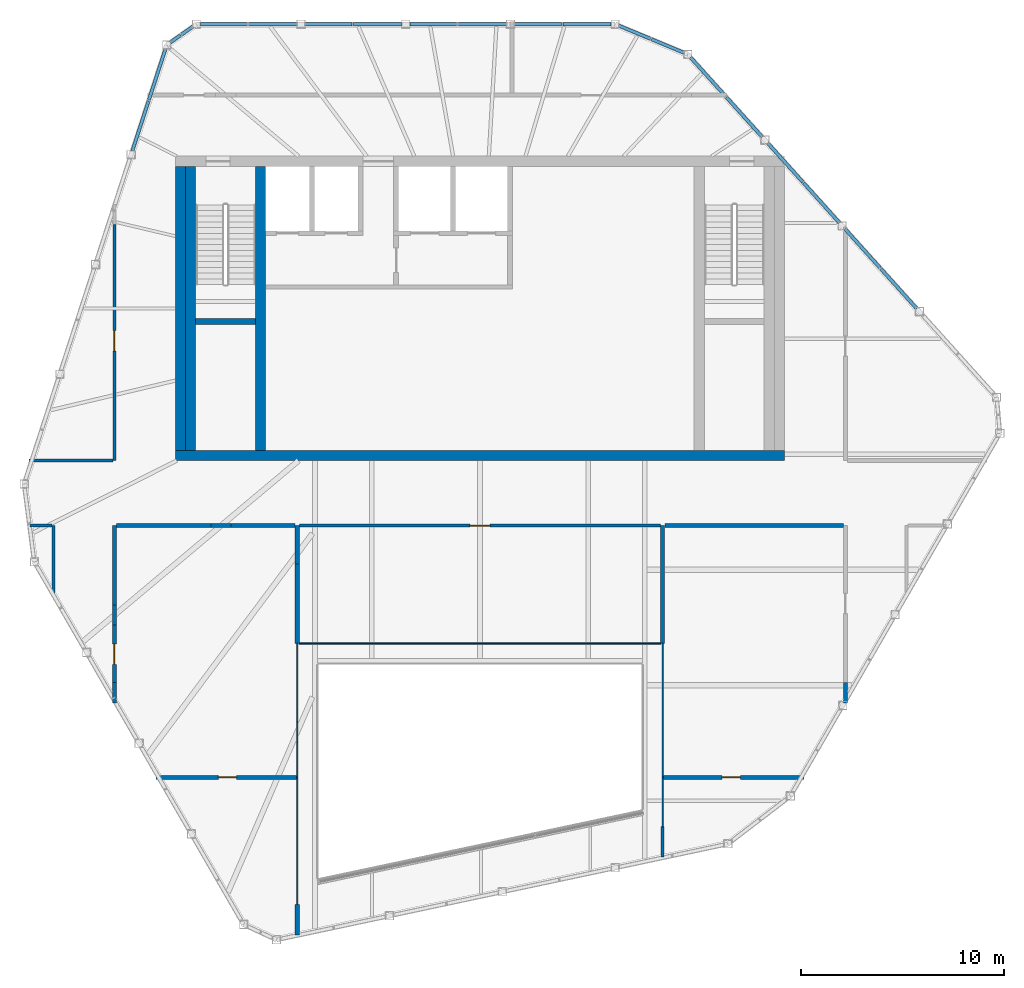
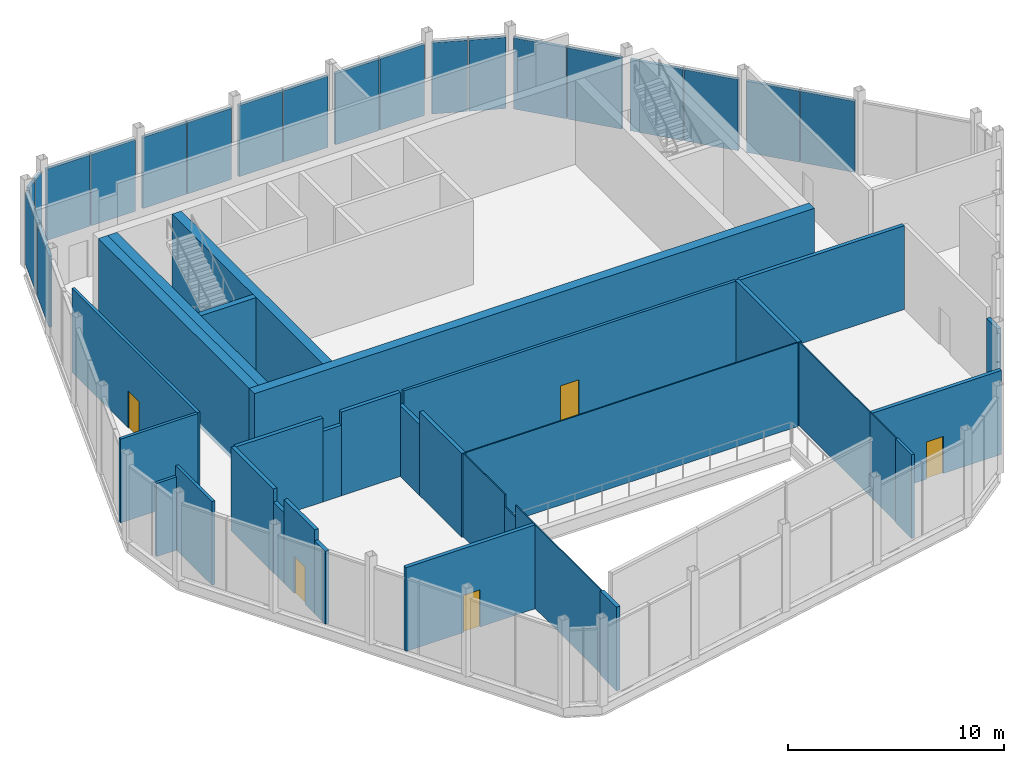
# One storey, part 8 of 12: 33 walls, 20 plates, 5 doors, 5 openings, 5 elements without a shape of their own.
"""IFC4 building model written with IfcOpenShell, lengths in metres."""

import ifcopenshell
import ifcopenshell.guid

model = None  # the IFC model being written
_history = None  # IfcOwnerHistory: only IFC2X3 demands one
_inside = {}  # id of a spatial element -> (the spatial element, [elements in it])
_under = {}  # id of a project, library or spatial element -> (it, [spatial elements below it])
_declared = {}  # id of a project -> (the project, [libraries it declares])
_typed = {}  # id of a type object -> (the type object, [elements of that type])
_made_of = {}  # id of a material, layer set ... -> (it, [elements and type objects made of it])


def new_model(schema):
    """Start an empty IFC model of exactly this schema.

    Asked for "IFC4X3", IfcOpenShell would pick the latest addendum, in which some entities
    have other attributes; the version numbers below select the first issue.
    IFC2X3 requires an IfcOwnerHistory on every rooted entity: one is made here for all.
    """
    global model, _history
    if schema == "IFC4X3":
        model = ifcopenshell.file(schema_version=(4, 3, 0, 0))
    else:
        model = ifcopenshell.file(schema=schema)
    _inside.clear()
    _under.clear()
    _declared.clear()
    _typed.clear()
    _made_of.clear()
    _history = None
    if model.schema == "IFC2X3":
        org = make("IfcOrganization", Name="unknown")
        user = make(
            "IfcPersonAndOrganization",
            ThePerson=make("IfcPerson", FamilyName="unknown"),
            TheOrganization=org,
        )
        app = make(
            "IfcApplication",
            ApplicationDeveloper=org,
            Version="unknown",
            ApplicationFullName="unknown",
            ApplicationIdentifier="unknown",
        )
        _history = make(
            "IfcOwnerHistory",
            OwningUser=user,
            OwningApplication=app,
            ChangeAction="ADDED",
            CreationDate=0,
        )
    return model


def make(cls, **values):
    """One entity of the class cls with the attributes given. An attribute that is None is left unset."""
    return model.create_entity(
        cls, **{name: value for name, value in values.items() if value is not None}
    )


def rooted(cls, **values):
    """An entity with a GlobalId (a new one), such as an element, a storey or a relation."""
    return make(cls, GlobalId=ifcopenshell.guid.new(), OwnerHistory=_history, **values)


def si_unit(unit_type, name, prefix=None):
    """IfcSIUnit, for example si_unit("LENGTHUNIT", "METRE", prefix="MILLI")."""
    return make("IfcSIUnit", UnitType=unit_type, Prefix=prefix, Name=name)


def assignment(units):
    """IfcUnitAssignment: the units of a project."""
    return None if units is None else make("IfcUnitAssignment", Units=units)


def point(xyz):
    """IfcCartesianPoint."""
    return None if xyz is None else make("IfcCartesianPoint", Coordinates=xyz)


def direction(xyz):
    """IfcDirection."""
    return None if xyz is None else make("IfcDirection", DirectionRatios=xyz)


def frame(location, z_axis=None, x_axis=None):
    """IfcAxis2Placement3D, a coordinate frame: its origin and axes. An axis left out is left unset."""
    return make(
        "IfcAxis2Placement3D",
        Location=point(location),
        Axis=direction(z_axis),
        RefDirection=direction(x_axis),
    )


def frame_2d(location, x_axis=None):
    """IfcAxis2Placement2D, a coordinate frame in the plane: its origin and x axis."""
    return make(
        "IfcAxis2Placement2D", Location=point(location), RefDirection=direction(x_axis)
    )


def origin():
    """The frame at (0, 0, 0) with its axes left unset."""
    return frame((0.0, 0.0, 0.0))


def origin_2d():
    """The frame at (0, 0) in the plane with its x axis left unset."""
    return frame_2d((0.0, 0.0))


def place(relative_to, where):
    """IfcLocalPlacement: puts the frame where relative to a parent placement (None: the world)."""
    return make(
        "IfcLocalPlacement", PlacementRelTo=relative_to, RelativePlacement=where
    )


def context(
    kind, dimensions, precision=None, world=None, true_north=None, identifier=None
):
    """IfcGeometricRepresentationContext, for example the 3D "Model" context."""
    return make(
        "IfcGeometricRepresentationContext",
        ContextIdentifier=identifier,
        ContextType=kind,
        CoordinateSpaceDimension=dimensions,
        Precision=precision,
        WorldCoordinateSystem=world,
        TrueNorth=true_north,
    )


def subcontext(parent, identifier, kind, view, scale=None):
    """IfcGeometricRepresentationSubContext, for example "Body" below "Model"."""
    return make(
        "IfcGeometricRepresentationSubContext",
        ContextIdentifier=identifier,
        ContextType=kind,
        ParentContext=parent,
        TargetScale=scale,
        TargetView=view,
    )


def project(units=None, contexts=None):
    """IfcProject with its units and contexts."""
    return rooted(
        "IfcProject",
        Name="project",
        RepresentationContexts=contexts,
        UnitsInContext=assignment(units),
    )


def spatial(cls, under=None, at=None, **own):
    """A site, building, storey or space (cls), placed at a placement, below another one or the project."""
    s = rooted(cls, ObjectPlacement=at, **own)
    if under is not None:
        _under.setdefault(under.id(), (under, []))[1].append(s)
    return s


def profile(cls, at=None, kind="AREA", **sizes):
    """A parametric profile (cls). Its sizes go by their IFC names, for example OverallWidth=200.0."""
    return make(cls, ProfileType=kind, Position=at, **sizes)


def rectangle(**sizes):
    """IfcRectangleProfileDef."""
    return profile("IfcRectangleProfileDef", **sizes)


def extrude(swept, where, along, depth):
    """IfcExtrudedAreaSolid: the profile swept, set in the frame where, extruded along a direction by depth."""
    return make(
        "IfcExtrudedAreaSolid",
        SweptArea=swept,
        Position=where,
        ExtrudedDirection=direction(along),
        Depth=depth,
    )


def shape(context_of_items, identifier, shape_type, items):
    """IfcShapeRepresentation: the items that make up one representation, for example the "Body"."""
    return make(
        "IfcShapeRepresentation",
        ContextOfItems=context_of_items,
        RepresentationIdentifier=identifier,
        RepresentationType=shape_type,
        Items=items,
    )


def material(Name=None, Category=None):
    """IfcMaterial."""
    return make("IfcMaterial", Name=Name, Category=Category)


def layer(
    of_material, thickness, ventilated=None, Name=None, Category=None, Priority=None
):
    """IfcMaterialLayer: one layer of a wall or slab, of a material (None: an air gap)."""
    return make(
        "IfcMaterialLayer",
        Material=of_material,
        LayerThickness=thickness,
        IsVentilated=ventilated,
        Name=Name,
        Category=Category,
        Priority=Priority,
    )


def layer_set(layers, Name=None):
    """IfcMaterialLayerSet."""
    return make("IfcMaterialLayerSet", MaterialLayers=layers, LayerSetName=Name)


def made_of(thing, what):
    """Note that an element or type object is made of a material, layer set ...; save() writes the relation."""
    if what is not None:
        _made_of.setdefault(what.id(), (what, []))[1].append(thing)
    return thing


def type_object(cls, material=None, **own):
    """A type object (cls), such as IfcWallType, which elements share."""
    return made_of(rooted(cls, **own), material)


def element(
    cls,
    number,
    at=None,
    inside=None,
    cuts=None,
    type_object=None,
    material=None,
    context=None,
    identifier="Body",
    shape_type=None,
    held_by="IfcProductDefinitionShape",
    body=None,
    shapes=None,
    **own,
):
    """One element of the class cls, such as IfcWall. Its Tag is "e" and its number.

    at: its placement. inside: the storey or other place that contains it. cuts: it is an
    opening in that element (IfcRelVoidsElement). A single representation is given by context,
    identifier, shape_type and body (its items); several are given by shapes. held_by: the class
    of the entity that holds the representations. save() writes the other relations.
    """
    e = rooted(cls, Tag="e%d" % number, ObjectPlacement=at, **own)
    if body is not None:
        shapes = [shape(context, identifier, shape_type, body)]
    if shapes is not None:
        e.Representation = make(held_by, Representations=shapes)
    if inside is not None:
        _inside.setdefault(inside.id(), (inside, []))[1].append(e)
    if cuts is not None:
        rooted(
            "IfcRelVoidsElement", RelatingBuildingElement=cuts, RelatedOpeningElement=e
        )
    if type_object is not None:
        _typed.setdefault(type_object.id(), (type_object, []))[1].append(e)
    return made_of(e, material)


def fill(opening, filler):
    """IfcRelFillsElement: the door or window that sits in an opening."""
    return rooted(
        "IfcRelFillsElement",
        RelatingOpeningElement=opening,
        RelatedBuildingElement=filler,
    )


def aggregate(whole, parts):
    """IfcRelAggregates: a whole, such as a stair, and the parts it consists of."""
    return rooted("IfcRelAggregates", RelatingObject=whole, RelatedObjects=parts)


def save(model, path):
    """Write the relations noted so far, then the file.

    IfcRelAggregates (storeys below a building ...), IfcRelContainedInSpatialStructure (elements
    in a storey), IfcRelDefinesByType, IfcRelAssociatesMaterial and IfcRelDeclares: one each for
    every whole, place, type object, material and project.
    """
    for whole, parts in _under.values():
        aggregate(whole, parts)
    for where, things in _inside.values():
        rooted(
            "IfcRelContainedInSpatialStructure",
            RelatedElements=things,
            RelatingStructure=where,
        )
    for kind, things in _typed.values():
        rooted("IfcRelDefinesByType", RelatedObjects=things, RelatingType=kind)
    for what, things in _made_of.values():
        rooted("IfcRelAssociatesMaterial", RelatedObjects=things, RelatingMaterial=what)
    for by, libraries in _declared.values():
        rooted("IfcRelDeclares", RelatingContext=by, RelatedDefinitions=libraries)
    model.write(path)


model = new_model("IFC4")

# Units and contexts
model_context = context("Model", 3, precision=1e-05, world=origin(), true_north=direction((0.0, 1.0)))
body_context = subcontext(model_context, "Body", "Model", "MODEL_VIEW")
ifc_project = project(units=[si_unit("LENGTHUNIT", "METRE"), si_unit("AREAUNIT", "SQUARE_METRE"), si_unit("VOLUMEUNIT", "CUBIC_METRE"), si_unit("PLANEANGLEUNIT", "RADIAN"), si_unit("MASSUNIT", "GRAM", prefix="KILO")], contexts=[model_context])

# Site, building, storey
site_placement = place(None, origin())
site = spatial("IfcSite", under=ifc_project, at=site_placement, CompositionType="ELEMENT")
building_placement = place(site_placement, origin())
building = spatial("IfcBuilding", under=site, at=building_placement, Name="Isthmus Gate Tower", CompositionType="ELEMENT")
storey_placement = place(building_placement, frame((0.0, 0.0, 306.10009765625)))
storey = spatial("IfcBuildingStorey", under=building, at=storey_placement, Name="C2", CompositionType="ELEMENT", Elevation=306.10009765625)

# Curtain wall, plates
ifc_material_1 = material(Name="Aluminium, pale champagne anodised", Category="aluminium")
ifc_layer_1 = layer(ifc_material_1, 0.199951171875)
ifc_layer_set_1 = layer_set([ifc_layer_1], Name="CW-2 LOUVRE CURTAIN WALL 200 DEEP")
curtain_wall_type = type_object("IfcCurtainWallType", Name="CW-2 LOUVRE CURTAIN WALL 200 DEEP", PredefinedType="NOTDEFINED", material=ifc_layer_set_1)
curtain_wall_1_placement = place(storey_placement, origin())
curtain_wall_1 = element("IfcCurtainWall", 1, at=curtain_wall_1_placement, inside=storey, type_object=curtain_wall_type, Name="CW-2 E00 C2", PredefinedType="NOTDEFINED")
ifc_material_2 = material(Name="Aluminium louvre blades, pale champagne anodised", Category="aluminium")
ifc_layer_2 = layer(ifc_material_2, 0.159912109375)
ifc_layer_set_2 = layer_set([ifc_layer_2], Name="CW-2 LOUVRE PANEL 160")
plate_type = type_object("IfcPlateType", Name="CW-2 LOUVRE PANEL 160", PredefinedType="CURTAIN_PANEL", material=ifc_layer_set_2)
plate_1_placement = place(storey_placement, frame((5.26904296875, 21.5, -0.000244140625), z_axis=(0.0, 0.0, 1.0), x_axis=(-1.0, 0.0, 0.0)))
plate_1 = element("IfcPlate", 2, at=plate_1_placement, type_object=plate_type, Name="CW-2 louvre panel", PredefinedType="CURTAIN_PANEL", context=body_context, shape_type="SweptSolid", body=[
    extrude(rectangle(XDim=2.37548828125, YDim=0.159912109375, at=origin_2d()), origin(), (0.0, 0.0, 1.0), 4.0341796875),
])
plate_2_placement = place(storey_placement, frame((2.863525390625, 21.5, -0.000244140625), z_axis=(0.0, 0.0, 1.0), x_axis=(-1.0, 0.0, 0.0)))
plate_2 = element("IfcPlate", 3, at=plate_2_placement, type_object=plate_type, Name="CW-2 louvre panel", PredefinedType="CURTAIN_PANEL", context=body_context, shape_type="SweptSolid", body=[
    extrude(rectangle(XDim=2.3154296875, YDim=0.159912109375, at=origin_2d()), origin(), (0.0, 0.0, 1.0), 4.0341796875),
])
plate_3_placement = place(storey_placement, frame((0.11181640625, 21.5, -0.000244140625), z_axis=(0.0, 0.0, 1.0), x_axis=(-1.0, 0.0, 0.0)))
plate_3 = element("IfcPlate", 4, at=plate_3_placement, type_object=plate_type, Name="CW-2 louvre panel", PredefinedType="CURTAIN_PANEL", context=body_context, shape_type="SweptSolid", body=[
    extrude(rectangle(XDim=2.37548828125, YDim=0.159912109375, at=origin_2d()), origin(), (0.0, 0.0, 1.0), 4.0341796875),
])
plate_4_placement = place(storey_placement, frame((-2.293701171875, 21.5, -0.000244140625), z_axis=(0.0, 0.0, 1.0), x_axis=(-1.0, 0.0, 0.0)))
plate_4 = element("IfcPlate", 5, at=plate_4_placement, type_object=plate_type, Name="CW-2 louvre panel", PredefinedType="CURTAIN_PANEL", context=body_context, shape_type="SweptSolid", body=[
    extrude(rectangle(XDim=2.3154296875, YDim=0.159912109375, at=origin_2d()), origin(), (0.0, 0.0, 1.0), 4.0341796875),
])
plate_5_placement = place(storey_placement, frame((-5.045654296875, 21.5, -0.000244140625), z_axis=(0.0, 0.0, 1.0), x_axis=(-1.0, 0.0, 0.0)))
plate_5 = element("IfcPlate", 6, at=plate_5_placement, type_object=plate_type, Name="CW-2 louvre panel", PredefinedType="CURTAIN_PANEL", context=body_context, shape_type="SweptSolid", body=[
    extrude(rectangle(XDim=2.37548828125, YDim=0.159912109375, at=origin_2d()), origin(), (0.0, 0.0, 1.0), 4.0341796875),
])
plate_6_placement = place(storey_placement, frame((-7.451171875, 21.5, -0.000244140625), z_axis=(0.0, 0.0, 1.0), x_axis=(-1.0, 0.0, 0.0)))
plate_6 = element("IfcPlate", 7, at=plate_6_placement, type_object=plate_type, Name="CW-2 louvre panel", PredefinedType="CURTAIN_PANEL", context=body_context, shape_type="SweptSolid", body=[
    extrude(rectangle(XDim=2.3154296875, YDim=0.159912109375, at=origin_2d()), origin(), (0.0, 0.0, 1.0), 4.0341796875),
])
plate_7_placement = place(storey_placement, frame((-10.202880859375, 21.5, -0.000244140625), z_axis=(0.0, 0.0, 1.0), x_axis=(-1.0, 0.0, 0.0)))
plate_7 = element("IfcPlate", 8, at=plate_7_placement, type_object=plate_type, Name="CW-2 louvre panel", PredefinedType="CURTAIN_PANEL", context=body_context, shape_type="SweptSolid", body=[
    extrude(rectangle(XDim=2.37548828125, YDim=0.159912109375, at=origin_2d()), origin(), (0.0, 0.0, 1.0), 4.0341796875),
])
plate_8_placement = place(storey_placement, frame((-12.6083984375, 21.5, -0.000244140625), z_axis=(0.0, 0.0, 1.0), x_axis=(-1.0, 0.0, 0.0)))
plate_8 = element("IfcPlate", 9, at=plate_8_placement, type_object=plate_type, Name="CW-2 louvre panel", PredefinedType="CURTAIN_PANEL", context=body_context, shape_type="SweptSolid", body=[
    extrude(rectangle(XDim=2.3154296875, YDim=0.159912109375, at=origin_2d()), origin(), (0.0, 0.0, 1.0), 4.0341796875),
])
aggregate(curtain_wall_1, [plate_1, plate_2, plate_3, plate_4, plate_5, plate_6, plate_7, plate_8])

curtain_wall_2_placement = place(storey_placement, origin())
curtain_wall_2 = element("IfcCurtainWall", 10, at=curtain_wall_2_placement, inside=storey, type_object=curtain_wall_type, Name="CW-2 E01 C2", PredefinedType="NOTDEFINED")
plate_9_placement = place(storey_placement, frame((-14.416259765625, 21.185546875, -0.000244140625), z_axis=(0.0, 0.0, 1.0), x_axis=(-0.81785959165, -0.57541783805, 0.0)))
plate_9 = element("IfcPlate", 11, at=plate_9_placement, type_object=plate_type, Name="CW-2 louvre panel", PredefinedType="CURTAIN_PANEL", context=body_context, shape_type="SweptSolid", body=[
    extrude(rectangle(XDim=0.686767578125, YDim=0.159912109375, at=origin_2d()), origin(), (0.0, 0.0, 1.0), 4.0341796875),
])
plate_10_placement = place(storey_placement, frame((-15.00244140625, 20.773193359375, -0.000244140625), z_axis=(0.0, 0.0, 1.0), x_axis=(-0.81785959165, -0.57541783805, 0.0)))
plate_10 = element("IfcPlate", 12, at=plate_10_placement, type_object=plate_type, Name="CW-2 louvre panel", PredefinedType="CURTAIN_PANEL", context=body_context, shape_type="SweptSolid", body=[
    extrude(rectangle(XDim=0.626708984375, YDim=0.159912109375, at=origin_2d()), origin(), (0.0, 0.0, 1.0), 4.0341796875),
])
aggregate(curtain_wall_2, [plate_9, plate_10])

curtain_wall_3_placement = place(storey_placement, origin())
curtain_wall_3 = element("IfcCurtainWall", 13, at=curtain_wall_3_placement, inside=storey, type_object=curtain_wall_type, Name="CW-2 E02 C2", PredefinedType="NOTDEFINED")
plate_11_placement = place(storey_placement, frame((-15.895263671875, 19.028076171875, -0.000244140625), z_axis=(0.0, 0.0, 1.0), x_axis=(-0.309016994375, -0.951056516295, 0.0)))
plate_11 = element("IfcPlate", 14, at=plate_11_placement, type_object=plate_type, Name="CW-2 louvre panel", PredefinedType="CURTAIN_PANEL", context=body_context, shape_type="SweptSolid", body=[
    extrude(rectangle(XDim=2.638427734375, YDim=0.159912109375, at=origin_2d()), origin(), (0.0, 0.0, 1.0), 4.0341796875),
])
plate_12_placement = place(storey_placement, frame((-16.719970703125, 16.490234375, -0.000244140625), z_axis=(0.0, 0.0, 1.0), x_axis=(-0.309016994375, -0.951056516295, 0.0)))
plate_12 = element("IfcPlate", 15, at=plate_12_placement, type_object=plate_type, Name="CW-2 louvre panel", PredefinedType="CURTAIN_PANEL", context=body_context, shape_type="SweptSolid", body=[
    extrude(rectangle(XDim=2.578369140625, YDim=0.159912109375, at=origin_2d()), origin(), (0.0, 0.0, 1.0), 4.0341796875),
])
aggregate(curtain_wall_3, [plate_11, plate_12])

curtain_wall_4_placement = place(storey_placement, origin())
curtain_wall_4 = element("IfcCurtainWall", 16, at=curtain_wall_4_placement, inside=storey, type_object=curtain_wall_type, Name="CW-2 E10 C2", PredefinedType="NOTDEFINED")
plate_13_placement = place(storey_placement, frame((20.623779296875, 8.47509765625, -0.000244140625), z_axis=(0.0, 0.0, 1.0), x_axis=(-0.669130606359, 0.743144825477, 0.0)))
plate_13 = element("IfcPlate", 17, at=plate_13_placement, type_object=plate_type, Name="CW-2 louvre panel", PredefinedType="CURTAIN_PANEL", context=body_context, shape_type="SweptSolid", body=[
    extrude(rectangle(XDim=2.638427734375, YDim=0.159912109375, at=origin_2d()), origin(), (0.0, 0.0, 1.0), 4.0341796875),
])
plate_14_placement = place(storey_placement, frame((18.83837890625, 10.4580078125, -0.000244140625), z_axis=(0.0, 0.0, 1.0), x_axis=(-0.669130606359, 0.743144825477, 0.0)))
plate_14 = element("IfcPlate", 18, at=plate_14_placement, type_object=plate_type, Name="CW-2 louvre panel", PredefinedType="CURTAIN_PANEL", context=body_context, shape_type="SweptSolid", body=[
    extrude(rectangle(XDim=2.578369140625, YDim=0.159912109375, at=origin_2d()), origin(), (0.0, 0.0, 1.0), 4.0341796875),
])
plate_15_placement = place(storey_placement, frame((16.821044921875, 12.698486328125, -0.000244140625), z_axis=(0.0, 0.0, 1.0), x_axis=(-0.669130606359, 0.743144825477, 0.0)))
plate_15 = element("IfcPlate", 19, at=plate_15_placement, type_object=plate_type, Name="CW-2 louvre panel", PredefinedType="CURTAIN_PANEL", context=body_context, shape_type="SweptSolid", body=[
    extrude(rectangle(XDim=2.638427734375, YDim=0.159912109375, at=origin_2d()), origin(), (0.0, 0.0, 1.0), 4.0341796875),
])
plate_16_placement = place(storey_placement, frame((15.03564453125, 14.681396484375, -0.000244140625), z_axis=(0.0, 0.0, 1.0), x_axis=(-0.669130606359, 0.743144825477, 0.0)))
plate_16 = element("IfcPlate", 20, at=plate_16_placement, type_object=plate_type, Name="CW-2 louvre panel", PredefinedType="CURTAIN_PANEL", context=body_context, shape_type="SweptSolid", body=[
    extrude(rectangle(XDim=2.578369140625, YDim=0.159912109375, at=origin_2d()), origin(), (0.0, 0.0, 1.0), 4.0341796875),
])
plate_17_placement = place(storey_placement, frame((13.018310546875, 16.921630859375, -0.000244140625), z_axis=(0.0, 0.0, 1.0), x_axis=(-0.669130606359, 0.743144825477, 0.0)))
plate_17 = element("IfcPlate", 21, at=plate_17_placement, type_object=plate_type, Name="CW-2 louvre panel", PredefinedType="CURTAIN_PANEL", context=body_context, shape_type="SweptSolid", body=[
    extrude(rectangle(XDim=2.638427734375, YDim=0.159912109375, at=origin_2d()), origin(), (0.0, 0.0, 1.0), 4.0341796875),
])
plate_18_placement = place(storey_placement, frame((11.23291015625, 18.904541015625, -0.000244140625), z_axis=(0.0, 0.0, 1.0), x_axis=(-0.669130606359, 0.743144825477, 0.0)))
plate_18 = element("IfcPlate", 22, at=plate_18_placement, type_object=plate_type, Name="CW-2 louvre panel", PredefinedType="CURTAIN_PANEL", context=body_context, shape_type="SweptSolid", body=[
    extrude(rectangle(XDim=2.578369140625, YDim=0.159912109375, at=origin_2d()), origin(), (0.0, 0.0, 1.0), 4.0341796875),
])
aggregate(curtain_wall_4, [plate_13, plate_14, plate_15, plate_16, plate_17, plate_18])

curtain_wall_5_placement = place(storey_placement, origin())
curtain_wall_5 = element("IfcCurtainWall", 23, at=curtain_wall_5_placement, inside=storey, type_object=curtain_wall_type, Name="CW-2 E11 C2", PredefinedType="NOTDEFINED")
plate_19_placement = place(storey_placement, frame((9.2470703125, 20.42431640625, -0.000244140625), z_axis=(0.0, 0.0, 1.0), x_axis=(-0.923353128387, 0.383951820282, 0.0)))
plate_19 = element("IfcPlate", 24, at=plate_19_placement, type_object=plate_type, Name="CW-2 louvre panel", PredefinedType="CURTAIN_PANEL", context=body_context, shape_type="SweptSolid", body=[
    extrude(rectangle(XDim=1.732421875, YDim=0.159912109375, at=origin_2d()), origin(), (0.0, 0.0, 1.0), 4.0341796875),
])
plate_20_placement = place(storey_placement, frame((7.61962890625, 21.100830078125, -0.000244140625), z_axis=(0.0, 0.0, 1.0), x_axis=(-0.923353128387, 0.383951820282, 0.0)))
plate_20 = element("IfcPlate", 25, at=plate_20_placement, type_object=plate_type, Name="CW-2 louvre panel", PredefinedType="CURTAIN_PANEL", context=body_context, shape_type="SweptSolid", body=[
    extrude(rectangle(XDim=1.67236328125, YDim=0.159912109375, at=origin_2d()), origin(), (0.0, 0.0, 1.0), 4.0341796875),
])
aggregate(curtain_wall_5, [plate_19, plate_20])

# Wall, opening, door
ifc_material_3 = material(Name="Concrete f'c 30 MPa", Category="concrete")
ifc_layer_3 = layer(ifc_material_3, 0.199951171875)
ifc_layer_set_3 = layer_set([ifc_layer_3], Name="Fire-rated block wall 200")
wall_type_1 = type_object("IfcWallType", Name="Fire-rated block wall 200", PredefinedType="PARTITIONING", material=ifc_layer_set_3)
wall_1_placement = place(storey_placement, frame((-15.954833984375, -15.60009765625, 0.0), z_axis=(0.0, 0.0, 1.0), x_axis=(1.0, 0.0, 0.0)))
wall_1 = element("IfcWall", 26, at=wall_1_placement, inside=storey, type_object=wall_type_1, Name="Fire-rated wall", PredefinedType="PARTITIONING", context=body_context, shape_type="SweptSolid", body=[
    extrude(rectangle(XDim=6.9248046875, YDim=0.199951171875, at=frame_2d((3.46240234375, 0.0))), origin(), (0.0, 0.0, 1.0), 4.75),
])
opening_1_placement = place(wall_1_placement, frame((3.070068359375, 0.0, 0.0)))
opening_1 = element("IfcOpeningElement", 27, at=opening_1_placement, cuts=wall_1, Name="Opening DP78-08", PredefinedType="OPENING", context=body_context, shape_type="SweptSolid", body=[
    extrude(rectangle(XDim=0.89990234375, YDim=2.10009765625, at=frame_2d((0.449951171875, 1.050048828125))), frame((0.0, 0.10986328125, 0.0), z_axis=(0.0, -1.0, 0.0), x_axis=(1.0, 0.0, 0.0)), (0.0, 0.0, 1.0), 0.219970703125),
])
ifc_material_4 = material(Name="Steel fire door with intumescent seals", Category="steel")
door_type_1 = type_object("IfcDoorType", Name="Fire door 900 x 2100", OperationType="SINGLE_SWING_LEFT", PredefinedType="DOOR", material=ifc_material_4)
door_1_placement = place(opening_1_placement, origin())
door_1 = element("IfcDoor", 28, at=door_1_placement, inside=storey, type_object=door_type_1, Name="Door DP78-08", OperationType="SINGLE_SWING_LEFT", OverallHeight=2.10009765625, OverallWidth=0.89990234375, PredefinedType="DOOR", context=body_context, shape_type="SweptSolid", body=[
    extrude(rectangle(XDim=0.89990234375, YDim=2.10009765625, at=frame_2d((0.449951171875, 1.050048828125))), frame((0.0, 0.02490234375, 0.0), z_axis=(0.0, -1.0, 0.0), x_axis=(1.0, 0.0, 0.0)), (0.0, 0.0, 1.0), 0.050048828125),
])
fill(opening_1, door_1)

wall_2_placement = place(storey_placement, frame((9.030029296875, -15.60009765625, 0.0), z_axis=(0.0, 0.0, 1.0), x_axis=(1.0, 0.0, 0.0)))
wall_2 = element("IfcWall", 29, at=wall_2_placement, inside=storey, type_object=wall_type_1, Name="Fire-rated wall", PredefinedType="PARTITIONING", context=body_context, shape_type="SweptSolid", body=[
    extrude(rectangle(XDim=6.9248046875, YDim=0.199951171875, at=frame_2d((3.46240234375, 0.0))), origin(), (0.0, 0.0, 1.0), 4.75),
])
opening_2_placement = place(wall_2_placement, frame((2.89990234375, 0.0, 0.0)))
opening_2 = element("IfcOpeningElement", 30, at=opening_2_placement, cuts=wall_2, Name="Opening DP78-09", PredefinedType="OPENING", context=body_context, shape_type="SweptSolid", body=[
    extrude(rectangle(XDim=0.89990234375, YDim=2.10009765625, at=frame_2d((0.449951171875, 1.050048828125))), frame((0.0, 0.10986328125, 0.0), z_axis=(0.0, -1.0, 0.0), x_axis=(1.0, 0.0, 0.0)), (0.0, 0.0, 1.0), 0.219970703125),
])
door_2_placement = place(opening_2_placement, origin())
door_2 = element("IfcDoor", 31, at=door_2_placement, inside=storey, type_object=door_type_1, Name="Door DP78-09", OperationType="SINGLE_SWING_LEFT", OverallHeight=2.10009765625, OverallWidth=0.89990234375, PredefinedType="DOOR", context=body_context, shape_type="SweptSolid", body=[
    extrude(rectangle(XDim=0.89990234375, YDim=2.10009765625, at=frame_2d((0.449951171875, 1.050048828125))), frame((0.0, 0.02490234375, 0.0), z_axis=(0.0, -1.0, 0.0), x_axis=(1.0, 0.0, 0.0)), (0.0, 0.0, 1.0), 0.050048828125),
])
fill(opening_2, door_2)

# Walls
wall_3_placement = place(storey_placement, frame((-17.89990234375, -3.199951171875, 0.0), z_axis=(0.0, 0.0, 1.0), x_axis=(1.0, 0.0, 0.0)))
element("IfcWall", 32, at=wall_3_placement, inside=storey, type_object=wall_type_1, Name="Fire-rated wall", PredefinedType="PARTITIONING", context=body_context, shape_type="SweptSolid", body=[
    extrude(rectangle(XDim=4.648193359375, YDim=0.199951171875, at=frame_2d((2.32421875, 0.0))), origin(), (0.0, 0.0, 1.0), 4.75),
])
wall_4_placement = place(storey_placement, frame((-13.251708984375, -3.199951171875, 0.0), z_axis=(0.0, 0.0, 1.0), x_axis=(1.0, 0.0, 0.0)))
element("IfcWall", 33, at=wall_4_placement, inside=storey, type_object=wall_type_1, Name="Fire-rated wall", PredefinedType="PARTITIONING", context=body_context, shape_type="SweptSolid", body=[
    extrude(rectangle(XDim=1.0, YDim=0.199951171875, at=frame_2d((0.5, 0.0))), origin(), (0.0, 0.0, 1.0), 4.00048828125),
])
wall_5_placement = place(storey_placement, frame((-12.251708984375, -3.199951171875, 0.0), z_axis=(0.0, 0.0, 1.0), x_axis=(1.0, 0.0, 0.0)))
element("IfcWall", 34, at=wall_5_placement, inside=storey, type_object=wall_type_1, Name="Fire-rated wall", PredefinedType="PARTITIONING", context=body_context, shape_type="SweptSolid", body=[
    extrude(rectangle(XDim=3.151611328125, YDim=0.199951171875, at=frame_2d((1.57568359375, 0.0))), origin(), (0.0, 0.0, 1.0), 4.75),
])
wall_6_placement = place(storey_placement, frame((9.10009765625, -3.199951171875, 0.0), z_axis=(0.0, 0.0, 1.0), x_axis=(1.0, 0.0, 0.0)))
element("IfcWall", 35, at=wall_6_placement, inside=storey, type_object=wall_type_1, Name="Fire-rated wall", PredefinedType="PARTITIONING", context=body_context, shape_type="SweptSolid", body=[
    extrude(rectangle(XDim=8.7998046875, YDim=0.199951171875, at=frame_2d((4.39990234375, 0.0))), origin(), (0.0, 0.0, 1.0), 4.75),
])
wall_7_placement = place(storey_placement, frame((-18.0, -11.93310546875, 0.0), z_axis=(0.0, 0.0, 1.0), x_axis=(0.0, 1.0, 0.0)))
element("IfcWall", 36, at=wall_7_placement, inside=storey, type_object=wall_type_1, Name="Fire-rated wall", PredefinedType="PARTITIONING", context=body_context, shape_type="SweptSolid", body=[
    extrude(rectangle(XDim=1.0, YDim=0.199951171875, at=frame_2d((0.5, 0.0))), origin(), (0.0, 0.0, 1.0), 4.134033203125),
])

# Wall, opening, door
wall_8_placement = place(storey_placement, frame((-18.0, -10.93310546875, 0.0), z_axis=(0.0, 0.0, 1.0), x_axis=(0.0, 1.0, 0.0)))
wall_8 = element("IfcWall", 37, at=wall_8_placement, inside=storey, type_object=wall_type_1, Name="Fire-rated wall", PredefinedType="PARTITIONING", context=body_context, shape_type="SweptSolid", body=[
    extrude(rectangle(XDim=2.829345703125, YDim=0.199951171875, at=frame_2d((1.41455078125, 0.0))), origin(), (0.0, 0.0, 1.0), 4.75),
])
opening_3_placement = place(wall_8_placement, frame((0.89990234375, 0.0, 0.0)))
opening_3 = element("IfcOpeningElement", 38, at=opening_3_placement, cuts=wall_8, Name="Opening DP78-06", PredefinedType="OPENING", context=body_context, shape_type="SweptSolid", body=[
    extrude(rectangle(XDim=1.0, YDim=2.10009765625, at=frame_2d((0.5, 1.050048828125))), frame((0.0, 0.10986328125, 0.0), z_axis=(0.0, -1.0, 0.0), x_axis=(1.0, 0.0, 0.0)), (0.0, 0.0, 1.0), 0.219970703125),
])
ifc_material_5 = material(Name="Steel fire door with intumescent seals", Category="steel")
door_type_2 = type_object("IfcDoorType", Name="Fire door 1000 x 2100", OperationType="SINGLE_SWING_LEFT", PredefinedType="DOOR", material=ifc_material_5)
door_3_placement = place(opening_3_placement, origin())
door_3 = element("IfcDoor", 39, at=door_3_placement, inside=storey, type_object=door_type_2, Name="Door DP78-06", OperationType="SINGLE_SWING_LEFT", OverallHeight=2.10009765625, OverallWidth=1.0, PredefinedType="DOOR", context=body_context, shape_type="SweptSolid", body=[
    extrude(rectangle(XDim=1.0, YDim=2.10009765625, at=frame_2d((0.5, 1.050048828125))), frame((0.0, 0.02490234375, 0.0), z_axis=(0.0, -1.0, 0.0), x_axis=(1.0, 0.0, 0.0)), (0.0, 0.0, 1.0), 0.050048828125),
])
fill(opening_3, door_3)

# Walls
wall_9_placement = place(storey_placement, frame((-18.0, -8.103759765625, 0.0), z_axis=(0.0, 0.0, 1.0), x_axis=(0.0, 1.0, 0.0)))
element("IfcWall", 40, at=wall_9_placement, inside=storey, type_object=wall_type_1, Name="Fire-rated wall", PredefinedType="PARTITIONING", context=body_context, shape_type="SweptSolid", body=[
    extrude(rectangle(XDim=1.0, YDim=0.199951171875, at=frame_2d((0.5, 0.0))), origin(), (0.0, 0.0, 1.0), 4.00048828125),
])
wall_10_placement = place(storey_placement, frame((-18.0, -7.103759765625, 0.0), z_axis=(0.0, 0.0, 1.0), x_axis=(0.0, 1.0, 0.0)))
element("IfcWall", 41, at=wall_10_placement, inside=storey, type_object=wall_type_1, Name="Fire-rated wall", PredefinedType="PARTITIONING", context=body_context, shape_type="SweptSolid", body=[
    extrude(rectangle(XDim=3.90380859375, YDim=0.199951171875, at=frame_2d((1.951904296875, 0.0))), origin(), (0.0, 0.0, 1.0), 4.75),
])
wall_11_placement = place(storey_placement, frame((-9.0, -23.348876953125, 0.0), z_axis=(0.0, 0.0, 1.0), x_axis=(0.0, 1.0, 0.0)))
element("IfcWall", 42, at=wall_11_placement, inside=storey, type_object=wall_type_1, Name="Fire-rated wall", PredefinedType="PARTITIONING", context=body_context, shape_type="SweptSolid", body=[
    extrude(rectangle(XDim=1.5029296875, YDim=0.199951171875, at=frame_2d((0.75146484375, 0.0))), origin(), (0.0, 0.0, 1.0), 4.75),
])
wall_12_placement = place(storey_placement, frame((-9.0, -9.0, 0.0), z_axis=(0.0, 0.0, 1.0), x_axis=(0.0, 1.0, 0.0)))
element("IfcWall", 43, at=wall_12_placement, inside=storey, type_object=wall_type_1, Name="Fire-rated wall", PredefinedType="PARTITIONING", context=body_context, shape_type="SweptSolid", body=[
    extrude(rectangle(XDim=3.910888671875, YDim=0.199951171875, at=frame_2d((1.95556640625, 0.0))), origin(), (0.0, 0.0, 1.0), 4.75),
])
wall_13_placement = place(storey_placement, frame((-9.0, -5.089111328125, 0.0), z_axis=(0.0, 0.0, 1.0), x_axis=(0.0, 1.0, 0.0)))
element("IfcWall", 44, at=wall_13_placement, inside=storey, type_object=wall_type_1, Name="Fire-rated wall", PredefinedType="PARTITIONING", context=body_context, shape_type="SweptSolid", body=[
    extrude(rectangle(XDim=1.88916015625, YDim=0.199951171875, at=frame_2d((0.944580078125, 0.0))), origin(), (0.0, 0.0, 1.0), 4.00048828125),
])
wall_14_placement = place(storey_placement, frame((9.0, -9.0, 0.0), z_axis=(0.0, 0.0, 1.0), x_axis=(0.0, 1.0, 0.0)))
element("IfcWall", 45, at=wall_14_placement, inside=storey, type_object=wall_type_1, Name="Fire-rated wall", PredefinedType="PARTITIONING", context=body_context, shape_type="SweptSolid", body=[
    extrude(rectangle(XDim=5.800048828125, YDim=0.199951171875, at=frame_2d((2.89990234375, 0.0))), origin(), (0.0, 0.0, 1.0), 4.75),
])
wall_15_placement = place(storey_placement, frame((18.0, -11.93310546875, 0.0), z_axis=(0.0, 0.0, 1.0), x_axis=(0.0, 1.0, 0.0)))
element("IfcWall", 46, at=wall_15_placement, inside=storey, type_object=wall_type_1, Name="Fire-rated wall", PredefinedType="PARTITIONING", context=body_context, shape_type="SweptSolid", body=[
    extrude(rectangle(XDim=1.0, YDim=0.199951171875, at=frame_2d((0.5, 0.0))), origin(), (0.0, 0.0, 1.0), 4.134033203125),
])
ifc_material_6 = material(Name="Fire-rated laminated glass in steel frame", Category="steel")
ifc_layer_4 = layer(ifc_material_6, 0.06005859375)
ifc_layer_set_4 = layer_set([ifc_layer_4], Name="Fire-rated glazed atrium screen 60")
wall_type_2 = type_object("IfcWallType", Name="Fire-rated glazed atrium screen 60", PredefinedType="PARTITIONING", material=ifc_layer_set_4)
wall_16_placement = place(storey_placement, frame((-8.89990234375, -9.0, 0.0), z_axis=(0.0, 0.0, 1.0), x_axis=(1.0, 0.0, 0.0)))
element("IfcWall", 47, at=wall_16_placement, inside=storey, type_object=wall_type_2, Name="Atrium screen", PredefinedType="PARTITIONING", context=body_context, shape_type="SweptSolid", body=[
    extrude(rectangle(XDim=17.7998046875, YDim=0.06005859375, at=frame_2d((8.89990234375, 0.0))), origin(), (0.0, 0.0, 1.0), 4.75),
])
wall_17_placement = place(storey_placement, frame((-9.0, -21.845947265625, 0.0), z_axis=(0.0, 0.0, 1.0), x_axis=(0.0, 1.0, 0.0)))
element("IfcWall", 48, at=wall_17_placement, inside=storey, type_object=wall_type_2, Name="Atrium screen", PredefinedType="PARTITIONING", context=body_context, shape_type="SweptSolid", body=[
    extrude(rectangle(XDim=6.244873046875, YDim=0.06005859375, at=frame_2d((3.12255859375, 0.0))), origin(), (0.0, 0.0, 1.0), 4.75),
])
wall_18_placement = place(storey_placement, frame((-9.0, -15.59912109375, 0.0), z_axis=(0.0, 0.0, 1.0), x_axis=(0.0, 1.0, 0.0)))
element("IfcWall", 49, at=wall_18_placement, inside=storey, type_object=wall_type_2, Name="Atrium screen", PredefinedType="PARTITIONING", context=body_context, shape_type="SweptSolid", body=[
    extrude(rectangle(XDim=1.73486328125, YDim=0.06005859375, at=frame_2d((0.867431640625, 0.0))), origin(), (0.0, 0.0, 1.0), 4.75),
])
wall_19_placement = place(storey_placement, frame((-9.0, -13.8642578125, 0.0), z_axis=(0.0, 0.0, 1.0), x_axis=(0.0, 1.0, 0.0)))
element("IfcWall", 50, at=wall_19_placement, inside=storey, type_object=wall_type_2, Name="Atrium screen", PredefinedType="PARTITIONING", context=body_context, shape_type="SweptSolid", body=[
    extrude(rectangle(XDim=1.0, YDim=0.06005859375, at=frame_2d((0.5, 0.0))), origin(), (0.0, 0.0, 1.0), 4.070556640625),
])
wall_20_placement = place(storey_placement, frame((-9.0, -12.8642578125, 0.0), z_axis=(0.0, 0.0, 1.0), x_axis=(0.0, 1.0, 0.0)))
element("IfcWall", 51, at=wall_20_placement, inside=storey, type_object=wall_type_2, Name="Atrium screen", PredefinedType="PARTITIONING", context=body_context, shape_type="SweptSolid", body=[
    extrude(rectangle(XDim=3.86328125, YDim=0.06005859375, at=frame_2d((1.931640625, 0.0))), origin(), (0.0, 0.0, 1.0), 4.75),
])
wall_21_placement = place(storey_placement, frame((9.0, -18.02001953125, 0.0), z_axis=(0.0, 0.0, 1.0), x_axis=(0.0, 1.0, 0.0)))
element("IfcWall", 52, at=wall_21_placement, inside=storey, type_object=wall_type_2, Name="Atrium screen", PredefinedType="PARTITIONING", context=body_context, shape_type="SweptSolid", body=[
    extrude(rectangle(XDim=2.4189453125, YDim=0.06005859375, at=frame_2d((1.20947265625, 0.0))), origin(), (0.0, 0.0, 1.0), 4.75),
])
wall_22_placement = place(storey_placement, frame((9.0, -15.59912109375, 0.0), z_axis=(0.0, 0.0, 1.0), x_axis=(0.0, 1.0, 0.0)))
element("IfcWall", 53, at=wall_22_placement, inside=storey, type_object=wall_type_2, Name="Atrium screen", PredefinedType="PARTITIONING", context=body_context, shape_type="SweptSolid", body=[
    extrude(rectangle(XDim=6.59814453125, YDim=0.06005859375, at=frame_2d((3.299072265625, 0.0))), origin(), (0.0, 0.0, 1.0), 4.75),
])
ifc_material_7 = material(Name="Gypsum board on cold-formed steel studs", Category="steel")
ifc_layer_5 = layer(ifc_material_7, 0.14990234375)
ifc_layer_set_5 = layer_set([ifc_layer_5])
wall_type_3 = type_object("IfcWallType", Name="Partition 150 gypsum board on steel studs", PredefinedType="PARTITIONING", material=ifc_layer_set_5)
wall_23_placement = place(storey_placement, frame((-22.1513671875, -3.199951171875, 0.0), z_axis=(0.0, 0.0, 1.0), x_axis=(1.0, 0.0, 0.0)))
element("IfcWall", 54, at=wall_23_placement, inside=storey, type_object=wall_type_3, Name="Partition", PredefinedType="PARTITIONING", context=body_context, shape_type="SweptSolid", body=[
    extrude(rectangle(XDim=1.076416015625, YDim=0.14990234375, at=frame_2d((0.5380859375, 0.0))), origin(), (0.0, 0.0, 1.0), 4.14990234375),
])

# Wall, opening, door
wall_24_placement = place(storey_placement, frame((-8.89990234375, -3.199951171875, 0.0), z_axis=(0.0, 0.0, 1.0), x_axis=(1.0, 0.0, 0.0)))
wall_24 = element("IfcWall", 55, at=wall_24_placement, inside=storey, type_object=wall_type_3, Name="Partition", PredefinedType="PARTITIONING", context=body_context, shape_type="SweptSolid", body=[
    extrude(rectangle(XDim=17.7998046875, YDim=0.14990234375, at=frame_2d((8.89990234375, 0.0))), origin(), (0.0, 0.0, 1.0), 4.75),
])
opening_4_placement = place(wall_24_placement, frame((8.39990234375, 0.0, 0.0)))
opening_4 = element("IfcOpeningElement", 56, at=opening_4_placement, cuts=wall_24, Name="Opening DP78-05", PredefinedType="OPENING", context=body_context, shape_type="SweptSolid", body=[
    extrude(rectangle(XDim=1.0, YDim=2.10009765625, at=frame_2d((0.5, 1.050048828125))), frame((0.0, 0.0849609375, 0.0), z_axis=(0.0, -1.0, 0.0), x_axis=(1.0, 0.0, 0.0)), (0.0, 0.0, 1.0), 0.169921875),
])
ifc_material_8 = material(Name="Hollow metal frame with solid-core timber leaf", Category="wood")
door_type_3 = type_object("IfcDoorType", Name="Single swing door 1000 x 2100", OperationType="SINGLE_SWING_LEFT", PredefinedType="DOOR", material=ifc_material_8)
door_4_placement = place(opening_4_placement, origin())
door_4 = element("IfcDoor", 57, at=door_4_placement, inside=storey, type_object=door_type_3, Name="Door DP78-05", OperationType="SINGLE_SWING_LEFT", OverallHeight=2.10009765625, OverallWidth=1.0, PredefinedType="DOOR", context=body_context, shape_type="SweptSolid", body=[
    extrude(rectangle(XDim=1.0, YDim=2.10009765625, at=frame_2d((0.5, 1.050048828125))), frame((0.0, 0.02490234375, 0.0), z_axis=(0.0, -1.0, 0.0), x_axis=(1.0, 0.0, 0.0)), (0.0, 0.0, 1.0), 0.050048828125),
])
fill(opening_4, door_4)

# Walls
wall_25_placement = place(storey_placement, frame((-22.21630859375, 0.0, 0.0), z_axis=(0.0, 0.0, 1.0), x_axis=(1.0, 0.0, 0.0)))
element("IfcWall", 58, at=wall_25_placement, inside=storey, type_object=wall_type_3, Name="Partition", PredefinedType="PARTITIONING", context=body_context, shape_type="SweptSolid", body=[
    extrude(rectangle(XDim=4.141357421875, YDim=0.14990234375, at=frame_2d((2.07080078125, 0.0))), origin(), (0.0, 0.0, 1.0), 4.75),
])
wall_26_placement = place(storey_placement, frame((-21.0, -6.56689453125, 0.0), z_axis=(0.0, 0.0, 1.0), x_axis=(0.0, 1.0, 0.0)))
element("IfcWall", 59, at=wall_26_placement, inside=storey, type_object=wall_type_3, Name="Partition", PredefinedType="PARTITIONING", context=body_context, shape_type="SweptSolid", body=[
    extrude(rectangle(XDim=3.365966796875, YDim=0.14990234375, at=frame_2d((1.68310546875, 0.0))), origin(), (0.0, 0.0, 1.0), 4.75),
])

# Wall, opening, door
wall_27_placement = place(storey_placement, frame((-18.0, 0.0, 0.0), z_axis=(0.0, 0.0, 1.0), x_axis=(0.0, 1.0, 0.0)))
wall_27 = element("IfcWall", 60, at=wall_27_placement, inside=storey, type_object=wall_type_3, Name="Partition", PredefinedType="PARTITIONING", context=body_context, shape_type="SweptSolid", body=[
    extrude(rectangle(XDim=11.62353515625, YDim=0.14990234375, at=frame_2d((5.811767578125, 0.0))), origin(), (0.0, 0.0, 1.0), 4.75),
])
opening_5_placement = place(wall_27_placement, frame((5.39990234375, 0.0, 0.0)))
opening_5 = element("IfcOpeningElement", 61, at=opening_5_placement, cuts=wall_27, Name="Opening DP78-03", PredefinedType="OPENING", context=body_context, shape_type="SweptSolid", body=[
    extrude(rectangle(XDim=1.0, YDim=2.10009765625, at=frame_2d((0.5, 1.050048828125))), frame((0.0, 0.0849609375, 0.0), z_axis=(0.0, -1.0, 0.0), x_axis=(1.0, 0.0, 0.0)), (0.0, 0.0, 1.0), 0.169921875),
])
door_5_placement = place(opening_5_placement, origin())
door_5 = element("IfcDoor", 62, at=door_5_placement, inside=storey, type_object=door_type_3, Name="Door DP78-03", OperationType="SINGLE_SWING_LEFT", OverallHeight=2.10009765625, OverallWidth=1.0, PredefinedType="DOOR", context=body_context, shape_type="SweptSolid", body=[
    extrude(rectangle(XDim=1.0, YDim=2.10009765625, at=frame_2d((0.5, 1.050048828125))), frame((0.0, 0.02490234375, 0.0), z_axis=(0.0, -1.0, 0.0), x_axis=(1.0, 0.0, 0.0)), (0.0, 0.0, 1.0), 0.050048828125),
])
fill(opening_5, door_5)

# Walls
wall_28_placement = place(storey_placement, frame((9.0, -19.522705078125, 0.0), z_axis=(0.0, 0.0, 1.0), x_axis=(0.0, 1.0, 0.0)))
element("IfcWall", 63, at=wall_28_placement, inside=storey, type_object=wall_type_3, Name="Partition", PredefinedType="PARTITIONING", context=body_context, shape_type="SweptSolid", body=[
    extrude(rectangle(XDim=1.502685546875, YDim=0.14990234375, at=frame_2d((0.75146484375, 0.0))), origin(), (0.0, 0.0, 1.0), 4.75),
])
ifc_material_9 = material(Name="Concrete f'c 50 MPa", Category="concrete")
ifc_layer_6 = layer(ifc_material_9, 0.5)
ifc_layer_set_6 = layer_set([ifc_layer_6], Name="RC CORE SPINE WALL 500 F'C 50")
wall_type_4 = type_object("IfcWallType", Name="RC CORE SPINE WALL 500 F'C 50", PredefinedType="SOLIDWALL", material=ifc_layer_set_6)
wall_29_placement = place(storey_placement, frame((-10.800048828125, 0.5, -0.25), z_axis=(0.0, 0.0, 1.0), x_axis=(0.0, 1.0, 0.0)))
element("IfcWall", 64, at=wall_29_placement, inside=storey, type_object=wall_type_4, Name="str-corewall-C2-SPW", PredefinedType="SOLIDWALL", context=body_context, shape_type="SweptSolid", body=[
    extrude(rectangle(XDim=14.0, YDim=0.5, at=frame_2d((7.0, 0.0))), origin(), (0.0, 0.0, 1.0), 5.0),
])
ifc_material_10 = material(Name="Concrete f'c 50 MPa", Category="concrete")
ifc_layer_7 = layer(ifc_material_10, 0.5)
ifc_layer_set_7 = layer_set([ifc_layer_7], Name="RC CORE WALL 500 F'C 50")
wall_type_5 = type_object("IfcWallType", Name="RC CORE WALL 500 F'C 50", PredefinedType="SOLIDWALL", material=ifc_layer_set_7)
wall_30_placement = place(storey_placement, frame((-15.0, 0.25, -0.25), z_axis=(0.0, 0.0, 1.0), x_axis=(1.0, 0.0, 0.0)))
element("IfcWall", 65, at=wall_30_placement, inside=storey, type_object=wall_type_5, Name="str-corewall-C2-S", PredefinedType="SOLIDWALL", context=body_context, shape_type="SweptSolid", body=[
    extrude(rectangle(XDim=30.0, YDim=0.5, at=frame_2d((15.0, 0.0))), origin(), (0.0, 0.0, 1.0), 5.0),
])
wall_31_placement = place(storey_placement, frame((-14.75, 0.5, -0.25), z_axis=(0.0, 0.0, 1.0), x_axis=(0.0, 1.0, 0.0)))
element("IfcWall", 66, at=wall_31_placement, inside=storey, type_object=wall_type_5, Name="str-corewall-C2-W", PredefinedType="SOLIDWALL", context=body_context, shape_type="SweptSolid", body=[
    extrude(rectangle(XDim=14.0, YDim=0.5, at=frame_2d((7.0, 0.0))), origin(), (0.0, 0.0, 1.0), 5.0),
])
ifc_material_11 = material(Name="Concrete f'c 40 MPa", Category="concrete")
ifc_layer_8 = layer(ifc_material_11, 0.300048828125)
ifc_layer_set_8 = layer_set([ifc_layer_8], Name="STAIR ENCLOSURE WALL 300 180 MIN")
wall_type_6 = type_object("IfcWallType", Name="STAIR ENCLOSURE WALL 300 180 MIN", PredefinedType="SOLIDWALL", material=ifc_layer_set_8)
wall_32_placement = place(storey_placement, frame((-14.0, 6.85009765625, 0.0), z_axis=(0.0, 0.0, 1.0), x_axis=(1.0, 0.0, 0.0)))
element("IfcWall", 67, at=wall_32_placement, inside=storey, type_object=wall_type_6, Name="C2 STAIR ENCLOSURE WALL 300 180 MIN", PredefinedType="SOLIDWALL", context=body_context, shape_type="SweptSolid", body=[
    extrude(rectangle(XDim=2.949951171875, YDim=0.300048828125, at=frame_2d((1.47509765625, 0.0))), origin(), (0.0, 0.0, 1.0), 4.75),
])
ifc_material_12 = material(Name="Concrete f'c 40 MPa", Category="concrete")
ifc_layer_9 = layer(ifc_material_12, 0.5)
ifc_layer_set_9 = layer_set([ifc_layer_9], Name="STAIR ENCLOSURE WALL 500 180 MIN")
wall_type_7 = type_object("IfcWallType", Name="STAIR ENCLOSURE WALL 500 180 MIN", PredefinedType="SOLIDWALL", material=ifc_layer_set_9)
wall_33_placement = place(storey_placement, frame((-14.25, 0.5, 0.0), z_axis=(0.0, 0.0, 1.0), x_axis=(0.0, 1.0, 0.0)))
element("IfcWall", 68, at=wall_33_placement, inside=storey, type_object=wall_type_7, Name="C2 STAIR ENCLOSURE WALL 500 180 MIN", PredefinedType="SOLIDWALL", context=body_context, shape_type="SweptSolid", body=[
    extrude(rectangle(XDim=14.0, YDim=0.5, at=frame_2d((7.0, 0.0))), origin(), (0.0, 0.0, 1.0), 4.75),
])

save(model, "model.ifc")
